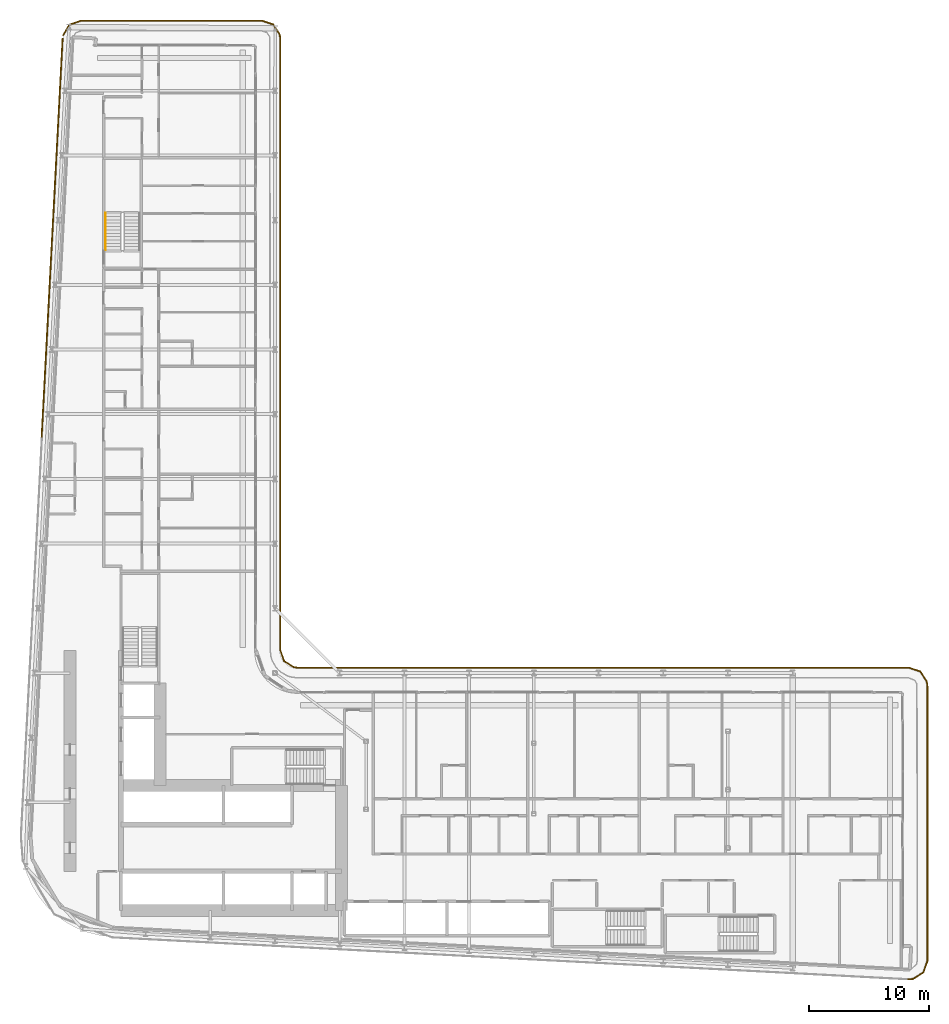
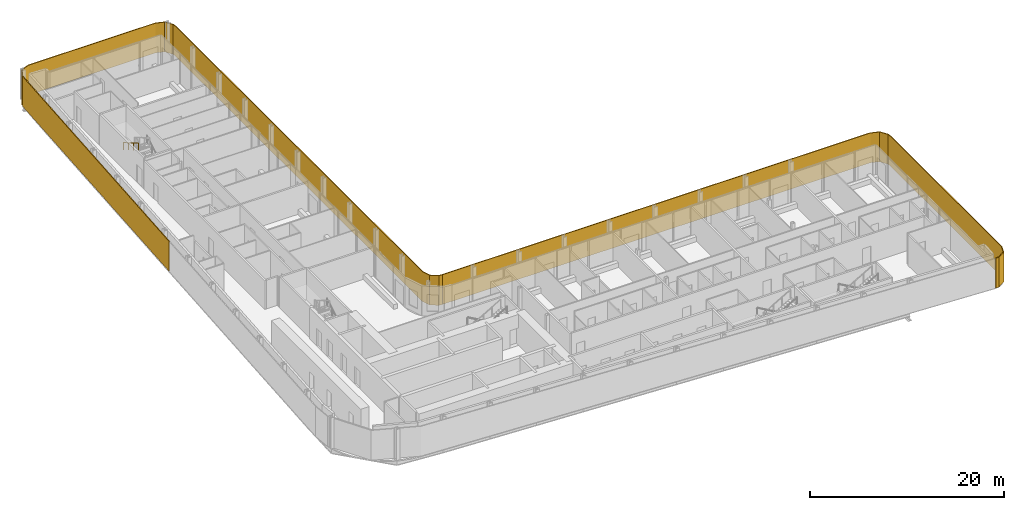
# One storey, part 25 of 27: 3 shading devices, 1 railing.
"""IFC4 building model written with IfcOpenShell, lengths in metres."""

from ifc_helpers import new_model, si_unit, direction, frame, origin, origin_2d, place, context, subcontext, project, spatial, polyline, rectangle, circle, outline, extrude, material, layer, layer_set, type_object, element, save


model = new_model("IFC4")

# Units and contexts
model_context = context("Model", 3, precision=1e-05, world=origin(), true_north=direction((0.0, 1.0)))
body_context = subcontext(model_context, "Body", "Model", "MODEL_VIEW")
ifc_project = project(units=[si_unit("LENGTHUNIT", "METRE"), si_unit("AREAUNIT", "SQUARE_METRE"), si_unit("VOLUMEUNIT", "CUBIC_METRE"), si_unit("PLANEANGLEUNIT", "RADIAN"), si_unit("MASSUNIT", "GRAM", prefix="KILO")], contexts=[model_context])

# Site, building, storey
site_placement = place(None, origin())
site = spatial("IfcSite", under=ifc_project, at=site_placement, CompositionType="ELEMENT")
building_placement = place(site_placement, origin())
building = spatial("IfcBuilding", under=site, at=building_placement, Name="Kheshtan School and Residences Tower", CompositionType="ELEMENT")
storey_placement = place(building_placement, frame((0.0, 0.0, 53.89990234375)))
storey = spatial("IfcBuildingStorey", under=building, at=storey_placement, Name="L12", CompositionType="ELEMENT", Elevation=53.89990234375)

# Shading devices
ifc_material_1 = material(Name="Terracotta baguette, extruded ceramic", Category="masonry")
ifc_layer_1 = layer(ifc_material_1, 0.10009765625)
ifc_layer_set_1 = layer_set([ifc_layer_1], Name="Ledge screen, terracotta baguettes")
shading_device_type_1 = type_object("IfcShadingDeviceType", Name="Ledge screen, terracotta baguettes", PredefinedType="USERDEFINED", material=ifc_layer_set_1)
shading_device_1_placement = place(storey_placement, frame((28.9990234375, 81.93408203125, 0.0), z_axis=(0.0, 0.0, 1.0), x_axis=(0.052562536748, 0.998617634398, 0.0)))
element("IfcShadingDevice", 1, at=shading_device_1_placement, inside=storey, type_object=shading_device_type_1, Name="Screen L12 5", ObjectType="BAGUETTE", PredefinedType="USERDEFINED", context=body_context, shape_type="SweptSolid", body=[
    extrude(rectangle(XDim=33.341064453125, YDim=0.10009765625, at=origin_2d()), origin(), (0.0, 0.0, 1.0), 3.75),
])
ifc_material_2 = material(Name="Terracotta lattice, extruded ceramic", Category="masonry")
ifc_layer_2 = layer(ifc_material_2, 0.10009765625)
ifc_layer_set_2 = layer_set([ifc_layer_2], Name="Loggia screen, terracotta lattice")
shading_device_type_2 = type_object("IfcShadingDeviceType", Name="Loggia screen, terracotta lattice", PredefinedType="USERDEFINED", material=ifc_layer_set_2)
shading_device_2_placement = place(storey_placement, origin())
element("IfcShadingDevice", 2, at=shading_device_2_placement, inside=storey, type_object=shading_device_type_2, Name="Screen L12 1", ObjectType="SCREEN", PredefinedType="USERDEFINED", context=body_context, shape_type="SweptSolid", body=[
    extrude(outline(polyline([(29.949951171875, 98.783935546875), (30.468017578125, 99.656982421875), (31.423095703125, 100.0), (46.5, 100.0), (47.4130859375, 99.68994140625), (47.948974609375, 98.887939453125), (48.0, 98.5), (48.0, 47.5), (48.31005859375, 46.5869140625), (49.112060546875, 46.051025390625), (49.5, 46.0), (49.512939453125, 46.09912109375), (49.14794921875, 46.14697265625), (48.39404296875, 46.65087890625), (48.10009765625, 47.51708984375), (48.10009765625, 98.507080078125), (48.044921875, 98.924072265625), (47.47705078125, 99.77392578125), (46.51708984375, 100.10009765625), (31.406005859375, 100.10009765625), (30.39990234375, 99.739013671875), (29.864013671875, 98.8349609375), (29.949951171875, 98.783935546875)])), origin(), (0.0, 0.0, 1.0), 3.75),
])
shading_device_3_placement = place(storey_placement, origin())
element("IfcShadingDevice", 3, at=shading_device_3_placement, inside=storey, type_object=shading_device_type_2, Name="Screen L12 2", ObjectType="SCREEN", PredefinedType="USERDEFINED", context=body_context, shape_type="SweptSolid", body=[
    extrude(outline(polyline([(49.5, 46.0), (100.5, 46.0), (101.4130859375, 45.68994140625), (101.948974609375, 44.887939453125), (102.0, 44.5), (102.0, 21.5810546875), (101.669921875, 20.64208984375), (100.823974609375, 20.116943359375), (100.4208984375, 20.0830078125), (100.428955078125, 19.98291015625), (100.85595703125, 20.01904296875), (101.7529296875, 20.575927734375), (102.10009765625, 21.56396484375), (102.10009765625, 44.507080078125), (102.044921875, 44.924072265625), (101.47705078125, 45.77392578125), (100.51708984375, 46.10009765625), (49.5, 46.10009765625), (49.5, 46.0)])), origin(), (0.0, 0.0, 1.0), 3.75),
])

# Railing
ifc_material_3 = material(Name="Stainless steel handrail", Category="steel")
railing_type = type_object("IfcRailingType", Name="Stair handrail 900", PredefinedType="HANDRAIL", material=ifc_material_3)
railing_placement = place(storey_placement, frame((33.449951171875, 83.97998046875, 2.112548828125)))
element("IfcRailing", 4, at=railing_placement, inside=storey, type_object=railing_type, Name="L12 ST3 stair handrail 2", PredefinedType="HANDRAIL", context=body_context, shape_type="SweptSolid", body=[
    extrude(circle(Radius=0.02392578125, at=origin_2d()), frame((0.0, 0.0, 0.8759765625), z_axis=(0.0, -0.864890721111, 0.501960198159), x_axis=(1.0, 0.0, 0.0)), (0.0, 0.0, 1.0), 3.561279296875),
    extrude(circle(Radius=0.02099609375, at=origin_2d()), origin(), (0.0, 0.0, 1.0), 0.851806640625),
    extrude(circle(Radius=0.02099609375, at=origin_2d()), frame((0.0, -1.026611328125, 0.595947265625)), (0.0, 0.0, 1.0), 0.851806640625),
    extrude(circle(Radius=0.02099609375, at=origin_2d()), frame((0.0, -2.053466796875, 1.191650390625)), (0.0, 0.0, 1.0), 0.851806640625),
    extrude(circle(Radius=0.02099609375, at=origin_2d()), frame((0.0, -3.080078125, 1.78759765625)), (0.0, 0.0, 1.0), 0.851806640625),
])

save(model, "model.ifc")
